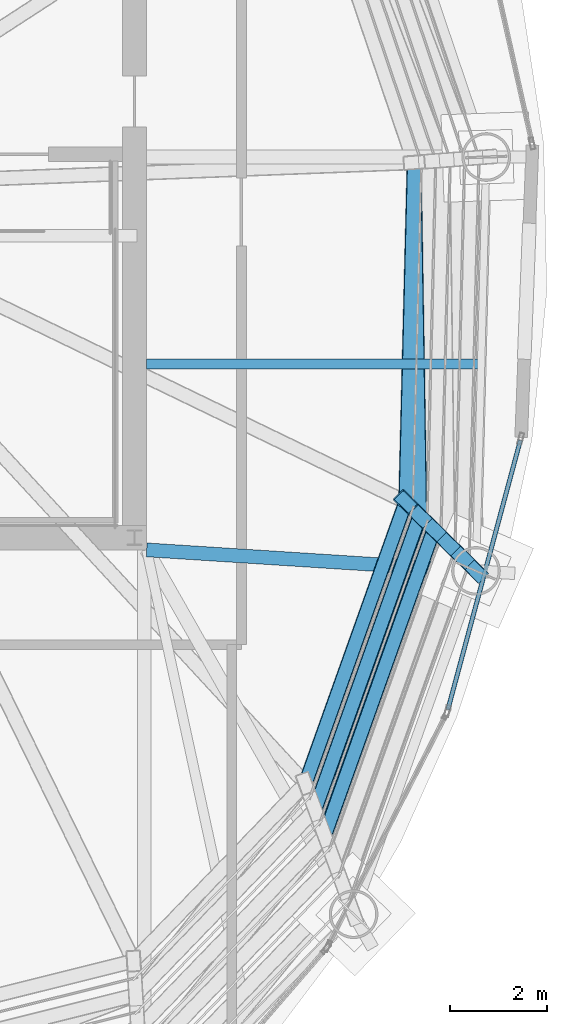
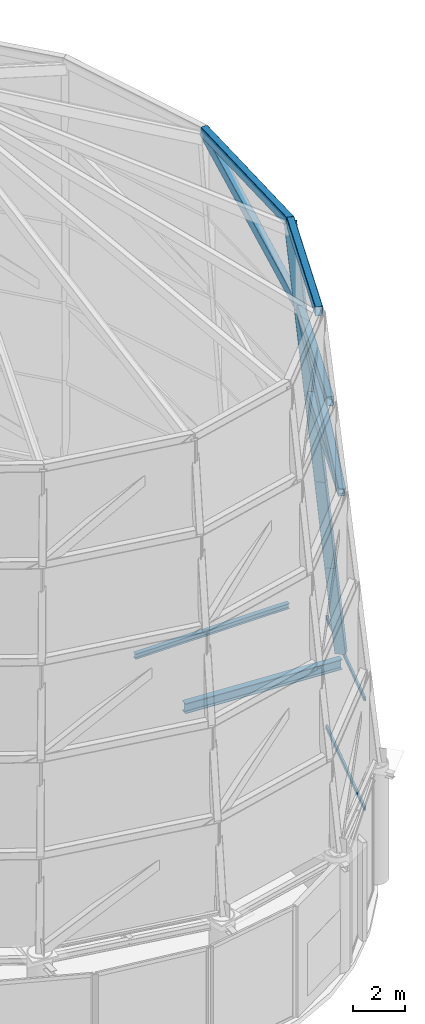
# One storey, part 18 of 40: 13 members, 2 beams, 1 element without a shape of its own.
"""IFC4 building model written with IfcOpenShell, lengths in metres."""

from ifc_helpers import new_model, si_unit, direction, frame, origin, origin_2d, place, context, subcontext, project, spatial, hollow_rectangle, i_section, extrude, material, layer, layer_set, material_profile, profile_set, type_object, element, aggregate, save


model = new_model("IFC4")

# Units and contexts
model_context = context("Model", 3, precision=1e-05, world=origin(), true_north=direction((0.0, 1.0)))
body_context = subcontext(model_context, "Body", "Model", "MODEL_VIEW")
ifc_project = project(units=[si_unit("LENGTHUNIT", "METRE"), si_unit("AREAUNIT", "SQUARE_METRE"), si_unit("VOLUMEUNIT", "CUBIC_METRE"), si_unit("PLANEANGLEUNIT", "RADIAN"), si_unit("MASSUNIT", "GRAM", prefix="KILO")], contexts=[model_context])

# Site, building, storey
site_placement = place(None, origin())
site = spatial("IfcSite", under=ifc_project, at=site_placement, CompositionType="ELEMENT")
building_placement = place(site_placement, origin())
building = spatial("IfcBuilding", under=site, at=building_placement, Name="Bramvorn Convention Spire", CompositionType="ELEMENT")
storey_placement = place(building_placement, frame((0.0, 0.0, 312.5)))
storey = spatial("IfcBuildingStorey", under=building, at=storey_placement, Name="L79", CompositionType="ELEMENT", Elevation=312.5)

# Beams
ifc_material_1 = material(Name="Steel CSA G40.21 Grade 350 (350W)", Category="steel")
ifc_material_profile_1 = material_profile(ifc_material_1, i_section(OverallWidth=0.201904296875, OverallDepth=0.2470703125, WebThickness=0.00732421875, FlangeThickness=0.010986328125, FilletRadius=0.011962890625, at=origin_2d()))
ifc_profile_set_1 = profile_set([ifc_material_profile_1], Name="Steel CSA G40.21 Grade 350 (350W) - W250X49")
beam_type_1 = type_object("IfcBeamType", Name="BM-W250X49", PredefinedType="JOIST", material=ifc_profile_set_1)
beam_1_placement = place(storey_placement, frame((49.25, 22.373046875, 5.12646484375), z_axis=(1.0, 0.0, 0.0), x_axis=(0.0, 1.0, 0.0)))
element("IfcBeam", 1, at=beam_1_placement, inside=storey, type_object=beam_type_1, Name="L79 composite floor joist 03", PredefinedType="JOIST", context=body_context, shape_type="SweptSolid", body=[
    extrude(i_section(OverallWidth=0.201904296875, OverallDepth=0.2470703125, WebThickness=0.00732421875, FlangeThickness=0.010986328125, FilletRadius=0.011962890625, at=origin_2d()), origin(), (0.0, 0.0, 1.0), 6.879150390625),
])
ifc_material_profile_2 = material_profile(ifc_material_1, i_section(OverallWidth=0.283935546875, OverallDepth=0.47607421875, WebThickness=0.014892578125, FlangeThickness=0.02392578125, FilletRadius=0.01806640625, at=origin_2d()))
ifc_profile_set_2 = profile_set([ifc_material_profile_2], Name="Steel CSA G40.21 Grade 350 (350W) - W460X158")
beam_type_2 = type_object("IfcBeamType", Name="BM-W460X158", PredefinedType="SPANDREL", material=ifc_profile_set_2)
beam_2_placement = place(storey_placement, frame((49.25, 18.550048828125, 5.011962890625), z_axis=(0.997957536354, -0.063880792379, 0.0), x_axis=(0.063880792379, 0.997957536354, 0.0)))
element("IfcBeam", 2, at=beam_2_placement, inside=storey, type_object=beam_type_2, Name="L79 radial floor girder MC03", PredefinedType="SPANDREL", context=body_context, shape_type="SweptSolid", body=[
    extrude(i_section(OverallWidth=0.283935546875, OverallDepth=0.47607421875, WebThickness=0.014892578125, FlangeThickness=0.02392578125, FilletRadius=0.01806640625, at=origin_2d()), origin(), (0.0, 0.0, 1.0), 6.78759765625),
])

# Curtain wall, members
ifc_material_2 = material(Name="Anodised Bronze Unitised Curtain Wall", Category="aluminium")
ifc_layer = layer(ifc_material_2, 0.199951171875)
ifc_layer_set = layer_set([ifc_layer], Name="Anodised Bronze Unitised Curtain Wall - CW-CROWN-SPIRE")
curtain_wall_type = type_object("IfcCurtainWallType", Name="CW-CROWN-SPIRE", PredefinedType="USERDEFINED", material=ifc_layer_set)
curtain_wall_placement = place(storey_placement, origin())
curtain_wall = element("IfcCurtainWall", 3, at=curtain_wall_placement, inside=storey, type_object=curtain_wall_type, Name="L79 fritted glass curtain wall 04", ObjectType="UNITISED CURTAIN WALL", PredefinedType="USERDEFINED")
ifc_material_3 = material(Name="Anodised Bronze Aluminium 6063-T6", Category="aluminium")
ifc_material_profile_3 = material_profile(ifc_material_3, hollow_rectangle(XDim=0.090087890625, YDim=0.179931640625, WallThickness=0.00439453125, InnerFilletRadius=0.0009765625, OuterFilletRadius=0.00439453125, at=origin_2d()))
ifc_profile_set_3 = profile_set([ifc_material_profile_3], Name="Anodised Bronze Aluminium 6063-T6 - CWT90X180")
member_type_1 = type_object("IfcMemberType", Name="CW-TRN-180", PredefinedType="USERDEFINED", material=ifc_profile_set_3)
member_1_placement = place(storey_placement, frame((56.937255859375, 20.805908203125, 0.030029296875), z_axis=(-0.259964324409, -0.965618221677, 0.0), x_axis=(0.965618221677, -0.259964324409, 0.0)))
member_1 = element("IfcMember", 4, at=member_1_placement, type_object=member_type_1, Name="CW6 transom 1.1", ObjectType="TRANSOM", PredefinedType="USERDEFINED", context=body_context, shape_type="SweptSolid", body=[
    extrude(hollow_rectangle(XDim=0.090087890625, YDim=0.179931640625, WallThickness=0.00439453125, InnerFilletRadius=0.0009765625, OuterFilletRadius=0.00439453125, at=origin_2d()), origin(), (0.0, 0.0, 1.0), 5.741943359375),
])
member_2_placement = place(storey_placement, frame((56.937255859375, 20.805908203125, 5.219970703125), z_axis=(-0.259964324409, -0.965618221677, 0.0), x_axis=(0.965618221677, -0.259964324409, 0.0)))
member_2 = element("IfcMember", 5, at=member_2_placement, type_object=member_type_1, Name="CW6 transom 1.2", ObjectType="TRANSOM", PredefinedType="USERDEFINED", context=body_context, shape_type="SweptSolid", body=[
    extrude(hollow_rectangle(XDim=0.090087890625, YDim=0.179931640625, WallThickness=0.00439453125, InnerFilletRadius=0.0009765625, OuterFilletRadius=0.00439453125, at=origin_2d()), origin(), (0.0, 0.0, 1.0), 5.741943359375),
])
aggregate(curtain_wall, [member_1, member_2])

# Members
ifc_material_profile_4 = material_profile(ifc_material_1, hollow_rectangle(XDim=0.300048828125, YDim=0.449951171875, WallThickness=0.02001953125, InnerFilletRadius=0.00390625, OuterFilletRadius=0.02392578125, at=origin_2d()))
ifc_profile_set_4 = profile_set([ifc_material_profile_4], Name="Steel CSA G40.21 Grade 350 (350W) - CROWN450X300X20")
member_type_2 = type_object("IfcMemberType", Name="MBR-CROWN450X300X20", PredefinedType="USERDEFINED", material=ifc_profile_set_4)
for number, where, z_axis, x_axis, name in (
    (6, (56.023681640625, 18.116455078125, 5.5), (-0.071837283234, 0.070622789858, 0.99491297423), (-0.701053115218, -0.71310905873, 0.0), "Crown spire CROWN FRAME rib T1-03"),
    (7, (55.73486328125, 18.400390625, 9.5), (-0.071837591181, 0.070562367669, 0.994917239152), (-0.700746383676, -0.713410474947, 0.0), "Crown spire CROWN FRAME rib T2-03"),
):
    element("IfcMember", number, at=place(storey_placement, frame(where, z_axis=z_axis, x_axis=x_axis)), inside=storey, type_object=member_type_2, Name=name, ObjectType="CROWN FRAME", PredefinedType="USERDEFINED", context=body_context, shape_type="SweptSolid", body=[
        extrude(hollow_rectangle(XDim=0.300048828125, YDim=0.449951171875, WallThickness=0.02001953125, InnerFilletRadius=0.00390625, OuterFilletRadius=0.02392578125, at=origin_2d()), origin(), (0.0, 0.0, 1.0), 4.0205078125),
    ])
member_3_placement = place(storey_placement, frame((52.91162109375, 12.670166015625, 17.5), z_axis=(0.335822832427, 0.94192516965, 0.0), x_axis=(-0.94192516965, 0.335822832427, 0.0)))
element("IfcMember", 8, at=member_3_placement, inside=storey, type_object=member_type_2, Name="Crown spire CROWN FRAME ring beam T3-02", ObjectType="CROWN FRAME", PredefinedType="USERDEFINED", context=body_context, shape_type="SweptSolid", body=[
    extrude(hollow_rectangle(XDim=0.300048828125, YDim=0.449951171875, WallThickness=0.02001953125, InnerFilletRadius=0.00390625, OuterFilletRadius=0.02392578125, at=origin_2d()), origin(), (0.0, 0.0, 1.0), 6.68603515625),
])
member_4_placement = place(storey_placement, frame((55.446044921875, 18.68408203125, 13.5), z_axis=(-0.071897694132, 0.070622481652, 0.994908632319), x_axis=(-0.700751827404, -0.713405127813, 0.0)))
element("IfcMember", 9, at=member_4_placement, inside=storey, type_object=member_type_2, Name="Crown spire CROWN FRAME rib T3-03", ObjectType="CROWN FRAME", PredefinedType="USERDEFINED", context=body_context, shape_type="SweptSolid", body=[
    extrude(hollow_rectangle(XDim=0.300048828125, YDim=0.449951171875, WallThickness=0.02001953125, InnerFilletRadius=0.00390625, OuterFilletRadius=0.02392578125, at=origin_2d()), origin(), (0.0, 0.0, 1.0), 4.0205078125),
])
member_5_placement = place(storey_placement, frame((52.71337890625, 13.2080078125, 21.5), z_axis=(0.335861512271, 0.941911378302, 0.0), x_axis=(-0.941911378302, 0.335861512271, 0.0)))
element("IfcMember", 10, at=member_5_placement, inside=storey, type_object=member_type_2, Name="Crown spire CROWN FRAME ring beam T4-02", ObjectType="CROWN FRAME", PredefinedType="USERDEFINED", context=body_context, shape_type="SweptSolid", body=[
    extrude(hollow_rectangle(XDim=0.300048828125, YDim=0.449951171875, WallThickness=0.02001953125, InnerFilletRadius=0.00390625, OuterFilletRadius=0.02392578125, at=origin_2d()), origin(), (0.0, 0.0, 1.0), 6.41650390625),
])
member_6_placement = place(storey_placement, frame((52.91162109375, 12.670166015625, 17.5), z_axis=(0.246247373202, 0.828239137466, 0.503370800068), x_axis=(-0.958531893703, 0.284985278137, 0.0)))
element("IfcMember", 11, at=member_6_placement, inside=storey, type_object=member_type_2, Name="Crown spire CROWN FRAME wind brace T4-02", ObjectType="CROWN FRAME", PredefinedType="USERDEFINED", context=body_context, shape_type="SweptSolid", body=[
    extrude(hollow_rectangle(XDim=0.300048828125, YDim=0.449951171875, WallThickness=0.02001953125, InnerFilletRadius=0.00390625, OuterFilletRadius=0.02392578125, at=origin_2d()), origin(), (0.0, 0.0, 1.0), 7.946533203125),
])
member_7_placement = place(storey_placement, frame((55.156982421875, 18.968017578125, 17.5), z_axis=(-0.071777179237, 0.070562675358, 0.994921577506), x_axis=(-0.701047928409, -0.713114157813, 0.0)))
element("IfcMember", 12, at=member_7_placement, inside=storey, type_object=member_type_2, Name="Crown spire CROWN FRAME rib T4-03", ObjectType="CROWN FRAME", PredefinedType="USERDEFINED", context=body_context, shape_type="SweptSolid", body=[
    extrude(hollow_rectangle(XDim=0.300048828125, YDim=0.449951171875, WallThickness=0.02001953125, InnerFilletRadius=0.00390625, OuterFilletRadius=0.02392578125, at=origin_2d()), origin(), (0.0, 0.0, 1.0), 4.0205078125),
])
member_8_placement = place(storey_placement, frame((52.51513671875, 13.74609375, 25.5), z_axis=(0.335845673421, 0.941917025881, 0.0), x_axis=(-0.941917025881, 0.335845673421, 0.0)))
element("IfcMember", 13, at=member_8_placement, inside=storey, type_object=member_type_2, Name="Crown spire CROWN FRAME ring beam T5-02", ObjectType="CROWN FRAME", PredefinedType="USERDEFINED", context=body_context, shape_type="SweptSolid", body=[
    extrude(hollow_rectangle(XDim=0.300048828125, YDim=0.449951171875, WallThickness=0.02001953125, InnerFilletRadius=0.00390625, OuterFilletRadius=0.02392578125, at=origin_2d()), origin(), (0.0, 0.0, 1.0), 6.146240234375),
])
member_9_placement = place(storey_placement, frame((54.868408203125, 19.251708984375, 21.5), z_axis=(-0.071898002336, 0.070562059725, 0.994912897186), x_axis=(-0.70044497321, -0.71370640988, 0.0)))
element("IfcMember", 14, at=member_9_placement, inside=storey, type_object=member_type_2, Name="Crown spire CROWN FRAME rib T5-03", ObjectType="CROWN FRAME", PredefinedType="USERDEFINED", context=body_context, shape_type="SweptSolid", body=[
    extrude(hollow_rectangle(XDim=0.300048828125, YDim=0.449951171875, WallThickness=0.02001953125, InnerFilletRadius=0.00390625, OuterFilletRadius=0.02392578125, at=origin_2d()), origin(), (0.0, 0.0, 1.0), 4.0205078125),
])
member_10_placement = place(storey_placement, frame((54.579345703125, 19.535400390625, 25.5), z_axis=(0.02478865926, 0.999692713974, 0.0), x_axis=(-0.999692713974, 0.02478865926, 0.0)))
element("IfcMember", 15, at=member_10_placement, inside=storey, type_object=member_type_2, Name="Crown spire CROWN FRAME ring beam T5-03", ObjectType="CROWN FRAME", PredefinedType="USERDEFINED", context=body_context, shape_type="SweptSolid", body=[
    extrude(hollow_rectangle(XDim=0.300048828125, YDim=0.449951171875, WallThickness=0.02001953125, InnerFilletRadius=0.00390625, OuterFilletRadius=0.02392578125, at=origin_2d()), origin(), (0.0, 0.0, 1.0), 6.98291015625),
])
member_11_placement = place(storey_placement, frame((54.868408203125, 19.251708984375, 21.5), z_axis=(-0.013982561358, 0.875897080407, 0.482295337435), x_axis=(-0.999872604433, -0.015961669874, 0.0)))
element("IfcMember", 16, at=member_11_placement, inside=storey, type_object=member_type_2, Name="Crown spire CROWN FRAME wind brace T5-03", ObjectType="CROWN FRAME", PredefinedType="USERDEFINED", context=body_context, shape_type="SweptSolid", body=[
    extrude(hollow_rectangle(XDim=0.300048828125, YDim=0.449951171875, WallThickness=0.02001953125, InnerFilletRadius=0.00390625, OuterFilletRadius=0.02392578125, at=origin_2d()), origin(), (0.0, 0.0, 1.0), 8.293701171875),
])

save(model, "model.ifc")
